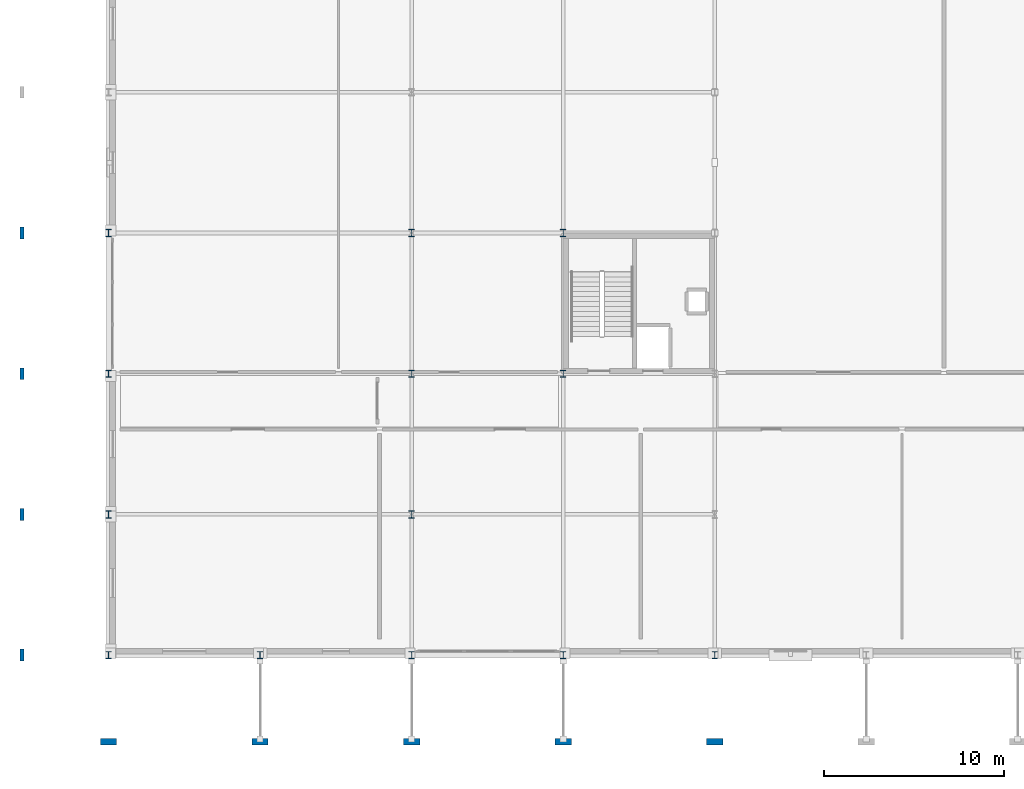
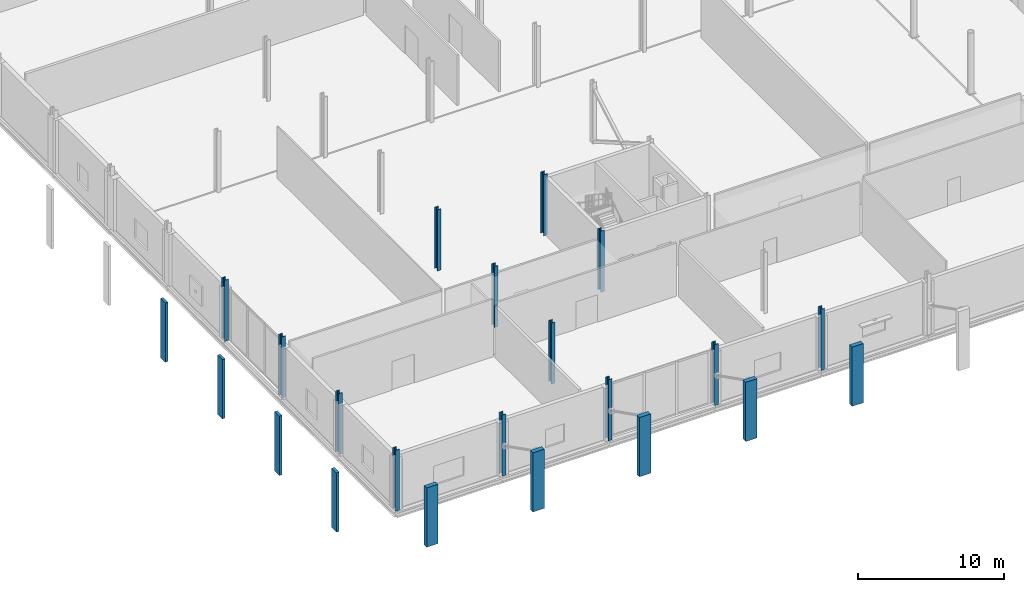
# One storey, part 1 of 105: 22 columns.
"""IFC4 building model written with IfcOpenShell, lengths in metres."""

import ifcopenshell
import ifcopenshell.guid

model = None  # the IFC model being written
_history = None  # IfcOwnerHistory: only IFC2X3 demands one
_inside = {}  # id of a spatial element -> (the spatial element, [elements in it])
_under = {}  # id of a project, library or spatial element -> (it, [spatial elements below it])
_declared = {}  # id of a project -> (the project, [libraries it declares])
_typed = {}  # id of a type object -> (the type object, [elements of that type])
_made_of = {}  # id of a material, layer set ... -> (it, [elements and type objects made of it])


def new_model(schema):
    """Start an empty IFC model of exactly this schema.

    Asked for "IFC4X3", IfcOpenShell would pick the latest addendum, in which some entities
    have other attributes; the version numbers below select the first issue.
    IFC2X3 requires an IfcOwnerHistory on every rooted entity: one is made here for all.
    """
    global model, _history
    if schema == "IFC4X3":
        model = ifcopenshell.file(schema_version=(4, 3, 0, 0))
    else:
        model = ifcopenshell.file(schema=schema)
    _inside.clear()
    _under.clear()
    _declared.clear()
    _typed.clear()
    _made_of.clear()
    _history = None
    if model.schema == "IFC2X3":
        org = make("IfcOrganization", Name="unknown")
        user = make(
            "IfcPersonAndOrganization",
            ThePerson=make("IfcPerson", FamilyName="unknown"),
            TheOrganization=org,
        )
        app = make(
            "IfcApplication",
            ApplicationDeveloper=org,
            Version="unknown",
            ApplicationFullName="unknown",
            ApplicationIdentifier="unknown",
        )
        _history = make(
            "IfcOwnerHistory",
            OwningUser=user,
            OwningApplication=app,
            ChangeAction="ADDED",
            CreationDate=0,
        )
    return model


def make(cls, **values):
    """One entity of the class cls with the attributes given. An attribute that is None is left unset."""
    return model.create_entity(
        cls, **{name: value for name, value in values.items() if value is not None}
    )


def rooted(cls, **values):
    """An entity with a GlobalId (a new one), such as an element, a storey or a relation."""
    return make(cls, GlobalId=ifcopenshell.guid.new(), OwnerHistory=_history, **values)


def si_unit(unit_type, name, prefix=None):
    """IfcSIUnit, for example si_unit("LENGTHUNIT", "METRE", prefix="MILLI")."""
    return make("IfcSIUnit", UnitType=unit_type, Prefix=prefix, Name=name)


def assignment(units):
    """IfcUnitAssignment: the units of a project."""
    return None if units is None else make("IfcUnitAssignment", Units=units)


def point(xyz):
    """IfcCartesianPoint."""
    return None if xyz is None else make("IfcCartesianPoint", Coordinates=xyz)


def direction(xyz):
    """IfcDirection."""
    return None if xyz is None else make("IfcDirection", DirectionRatios=xyz)


def frame(location, z_axis=None, x_axis=None):
    """IfcAxis2Placement3D, a coordinate frame: its origin and axes. An axis left out is left unset."""
    return make(
        "IfcAxis2Placement3D",
        Location=point(location),
        Axis=direction(z_axis),
        RefDirection=direction(x_axis),
    )


def frame_2d(location, x_axis=None):
    """IfcAxis2Placement2D, a coordinate frame in the plane: its origin and x axis."""
    return make(
        "IfcAxis2Placement2D", Location=point(location), RefDirection=direction(x_axis)
    )


def origin():
    """The frame at (0, 0, 0) with its axes left unset."""
    return frame((0.0, 0.0, 0.0))


def origin_2d():
    """The frame at (0, 0) in the plane with its x axis left unset."""
    return frame_2d((0.0, 0.0))


def place(relative_to, where):
    """IfcLocalPlacement: puts the frame where relative to a parent placement (None: the world)."""
    return make(
        "IfcLocalPlacement", PlacementRelTo=relative_to, RelativePlacement=where
    )


def context(
    kind, dimensions, precision=None, world=None, true_north=None, identifier=None
):
    """IfcGeometricRepresentationContext, for example the 3D "Model" context."""
    return make(
        "IfcGeometricRepresentationContext",
        ContextIdentifier=identifier,
        ContextType=kind,
        CoordinateSpaceDimension=dimensions,
        Precision=precision,
        WorldCoordinateSystem=world,
        TrueNorth=true_north,
    )


def subcontext(parent, identifier, kind, view, scale=None):
    """IfcGeometricRepresentationSubContext, for example "Body" below "Model"."""
    return make(
        "IfcGeometricRepresentationSubContext",
        ContextIdentifier=identifier,
        ContextType=kind,
        ParentContext=parent,
        TargetScale=scale,
        TargetView=view,
    )


def project(units=None, contexts=None):
    """IfcProject with its units and contexts."""
    return rooted(
        "IfcProject",
        Name="project",
        RepresentationContexts=contexts,
        UnitsInContext=assignment(units),
    )


def spatial(cls, under=None, at=None, **own):
    """A site, building, storey or space (cls), placed at a placement, below another one or the project."""
    s = rooted(cls, ObjectPlacement=at, **own)
    if under is not None:
        _under.setdefault(under.id(), (under, []))[1].append(s)
    return s


def profile(cls, at=None, kind="AREA", **sizes):
    """A parametric profile (cls). Its sizes go by their IFC names, for example OverallWidth=200.0."""
    return make(cls, ProfileType=kind, Position=at, **sizes)


def rectangle(**sizes):
    """IfcRectangleProfileDef."""
    return profile("IfcRectangleProfileDef", **sizes)


def i_section(**sizes):
    """IfcIShapeProfileDef."""
    return profile("IfcIShapeProfileDef", **sizes)


def extrude(swept, where, along, depth):
    """IfcExtrudedAreaSolid: the profile swept, set in the frame where, extruded along a direction by depth."""
    return make(
        "IfcExtrudedAreaSolid",
        SweptArea=swept,
        Position=where,
        ExtrudedDirection=direction(along),
        Depth=depth,
    )


def shape(context_of_items, identifier, shape_type, items):
    """IfcShapeRepresentation: the items that make up one representation, for example the "Body"."""
    return make(
        "IfcShapeRepresentation",
        ContextOfItems=context_of_items,
        RepresentationIdentifier=identifier,
        RepresentationType=shape_type,
        Items=items,
    )


def material(Name=None, Category=None):
    """IfcMaterial."""
    return make("IfcMaterial", Name=Name, Category=Category)


def material_profile(
    of_material, cross_section, Name=None, Category=None, Priority=None
):
    """IfcMaterialProfile: a cross section and its material."""
    return make(
        "IfcMaterialProfile",
        Name=Name,
        Material=of_material,
        Profile=cross_section,
        Priority=Priority,
        Category=Category,
    )


def profile_set(profiles, Name=None, composite=None):
    """IfcMaterialProfileSet."""
    return make(
        "IfcMaterialProfileSet",
        Name=Name,
        MaterialProfiles=profiles,
        CompositeProfile=composite,
    )


def made_of(thing, what):
    """Note that an element or type object is made of a material, layer set ...; save() writes the relation."""
    if what is not None:
        _made_of.setdefault(what.id(), (what, []))[1].append(thing)
    return thing


def type_object(cls, material=None, **own):
    """A type object (cls), such as IfcWallType, which elements share."""
    return made_of(rooted(cls, **own), material)


def element(
    cls,
    number,
    at=None,
    inside=None,
    cuts=None,
    type_object=None,
    material=None,
    context=None,
    identifier="Body",
    shape_type=None,
    held_by="IfcProductDefinitionShape",
    body=None,
    shapes=None,
    **own,
):
    """One element of the class cls, such as IfcWall. Its Tag is "e" and its number.

    at: its placement. inside: the storey or other place that contains it. cuts: it is an
    opening in that element (IfcRelVoidsElement). A single representation is given by context,
    identifier, shape_type and body (its items); several are given by shapes. held_by: the class
    of the entity that holds the representations. save() writes the other relations.
    """
    e = rooted(cls, Tag="e%d" % number, ObjectPlacement=at, **own)
    if body is not None:
        shapes = [shape(context, identifier, shape_type, body)]
    if shapes is not None:
        e.Representation = make(held_by, Representations=shapes)
    if inside is not None:
        _inside.setdefault(inside.id(), (inside, []))[1].append(e)
    if cuts is not None:
        rooted(
            "IfcRelVoidsElement", RelatingBuildingElement=cuts, RelatedOpeningElement=e
        )
    if type_object is not None:
        _typed.setdefault(type_object.id(), (type_object, []))[1].append(e)
    return made_of(e, material)


def aggregate(whole, parts):
    """IfcRelAggregates: a whole, such as a stair, and the parts it consists of."""
    return rooted("IfcRelAggregates", RelatingObject=whole, RelatedObjects=parts)


def save(model, path):
    """Write the relations noted so far, then the file.

    IfcRelAggregates (storeys below a building ...), IfcRelContainedInSpatialStructure (elements
    in a storey), IfcRelDefinesByType, IfcRelAssociatesMaterial and IfcRelDeclares: one each for
    every whole, place, type object, material and project.
    """
    for whole, parts in _under.values():
        aggregate(whole, parts)
    for where, things in _inside.values():
        rooted(
            "IfcRelContainedInSpatialStructure",
            RelatedElements=things,
            RelatingStructure=where,
        )
    for kind, things in _typed.values():
        rooted("IfcRelDefinesByType", RelatedObjects=things, RelatingType=kind)
    for what, things in _made_of.values():
        rooted("IfcRelAssociatesMaterial", RelatedObjects=things, RelatingMaterial=what)
    for by, libraries in _declared.values():
        rooted("IfcRelDeclares", RelatingContext=by, RelatedDefinitions=libraries)
    model.write(path)


model = new_model("IFC4")

# Units and contexts
model_context = context("Model", 3, precision=1e-05, world=origin(), true_north=direction((0.0, 1.0)))
body_context = subcontext(model_context, "Body", "Model", "MODEL_VIEW")
ifc_project = project(units=[si_unit("LENGTHUNIT", "METRE"), si_unit("AREAUNIT", "SQUARE_METRE"), si_unit("VOLUMEUNIT", "CUBIC_METRE"), si_unit("PLANEANGLEUNIT", "RADIAN"), si_unit("MASSUNIT", "GRAM", prefix="KILO")], contexts=[model_context])

# Site, building, storey
site_placement = place(None, origin())
site = spatial("IfcSite", under=ifc_project, at=site_placement, CompositionType="ELEMENT")
building_placement = place(site_placement, origin())
building = spatial("IfcBuilding", under=site, at=building_placement, Name="Nabrawat Pavilion Hospital", CompositionType="ELEMENT")
storey_placement = place(building_placement, frame((0.0, 0.0, 5.10009765625)))
storey = spatial("IfcBuildingStorey", under=building, at=storey_placement, Name="L01", CompositionType="ELEMENT", Elevation=5.10009765625)

# Columns
ifc_material_1 = material(Name="Precast concrete C40/50", Category="concrete")
ifc_material_profile_1 = material_profile(ifc_material_1, rectangle(XDim=0.219970703125, YDim=0.64990234375, at=origin_2d()), Name="PC 220x650")
ifc_profile_set_1 = profile_set([ifc_material_profile_1], Name="Precast concrete C40/50")
column_type_1 = type_object("IfcColumnType", Name="Ambulance Canopy Precast Pilaster 220x650", PredefinedType="PILASTER", material=ifc_profile_set_1)
for number, where, z_axis, x_axis, name in (
    (1, (-4.800048828125, 0.0, 0.0), (0.0, 0.0, 1.0), (1.0, 0.0, 0.0), "L01 Colonnade Precast Pilaster PIL-W-A"),
    (2, (-4.800048828125, 7.800048828125, 0.0), (0.0, 0.0, 1.0), (1.0, 0.0, 0.0), "L01 Colonnade Precast Pilaster PIL-W-B"),
    (3, (-4.800048828125, 15.60009765625, 0.0), (0.0, 0.0, 1.0), (1.0, 0.0, 0.0), "L01 Colonnade Precast Pilaster PIL-W-C"),
    (4, (-4.800048828125, 23.39990234375, 0.0), (0.0, 0.0, 1.0), (1.0, 0.0, 0.0), "L01 Colonnade Precast Pilaster PIL-W-D"),
):
    element("IfcColumn", number, at=place(storey_placement, frame(where, z_axis=z_axis, x_axis=x_axis)), inside=storey, type_object=column_type_1, Name=name, PredefinedType="PILASTER", context=body_context, shape_type="SweptSolid", body=[
        extrude(rectangle(XDim=0.219970703125, YDim=0.64990234375, at=origin_2d()), origin(), (0.0, 0.0, 1.0), 4.949951171875),
    ])
ifc_material_2 = material(Name="Steel S355", Category="steel")
ifc_material_profile_2 = material_profile(ifc_material_2, i_section(OverallWidth=0.300048828125, OverallDepth=0.39990234375, WebThickness=0.013427734375, FlangeThickness=0.02392578125, FilletRadius=0.027099609375, at=origin_2d()), Name="HEB 400")
ifc_profile_set_2 = profile_set([ifc_material_profile_2], Name="Steel S355")
column_type_2 = type_object("IfcColumnType", Name="Composite Steel Column HEB 400", PredefinedType="COLUMN", material=ifc_profile_set_2)
for number, where, z_axis, x_axis, name in (
    (5, (0.0, 0.0, 0.0), (0.0, 0.0, 1.0), (1.0, 0.0, 0.0), "L01 Structural Column G-1-A"),
    (6, (0.0, 7.800048828125, 0.0), (0.0, 0.0, 1.0), (1.0, 0.0, 0.0), "L01 Structural Column G-1-B"),
    (7, (0.0, 15.60009765625, 0.0), (0.0, 0.0, 1.0), (1.0, 0.0, 0.0), "L01 Structural Column G-1-C"),
    (8, (0.0, 23.39990234375, 0.0), (0.0, 0.0, 1.0), (1.0, 0.0, 0.0), "L01 Structural Column G-1-D"),
    (9, (8.39990234375, 0.0, 0.0), (0.0, 0.0, 1.0), (1.0, 0.0, 0.0), "L01 Structural Column G-2-A"),
    (10, (16.800048828125, 0.0, 0.0), (0.0, 0.0, 1.0), (1.0, 0.0, 0.0), "L01 Structural Column G-3-A"),
    (11, (16.800048828125, 7.800048828125, 0.0), (0.0, 0.0, 1.0), (1.0, 0.0, 0.0), "L01 Structural Column G-3-B"),
    (12, (16.800048828125, 15.60009765625, 0.0), (0.0, 0.0, 1.0), (1.0, 0.0, 0.0), "L01 Structural Column G-3-C"),
    (13, (16.800048828125, 23.39990234375, 0.0), (0.0, 0.0, 1.0), (1.0, 0.0, 0.0), "L01 Structural Column G-3-D"),
    (14, (25.199951171875, 0.0, 0.0), (0.0, 0.0, 1.0), (1.0, 0.0, 0.0), "L01 Structural Column G-4-A"),
    (15, (25.199951171875, 15.60009765625, 0.0), (0.0, 0.0, 1.0), (1.0, 0.0, 0.0), "L01 Structural Column G-4-C"),
    (16, (25.199951171875, 23.39990234375, 0.0), (0.0, 0.0, 1.0), (1.0, 0.0, 0.0), "L01 Structural Column G-4-D"),
    (17, (33.60009765625, 0.0, 0.0), (0.0, 0.0, 1.0), (1.0, 0.0, 0.0), "L01 Structural Column G-5-A"),
):
    element("IfcColumn", number, at=place(storey_placement, frame(where, z_axis=z_axis, x_axis=x_axis)), inside=storey, type_object=column_type_2, Name=name, PredefinedType="COLUMN", context=body_context, shape_type="SweptSolid", body=[
        extrude(i_section(OverallWidth=0.300048828125, OverallDepth=0.39990234375, WebThickness=0.013427734375, FlangeThickness=0.02392578125, FilletRadius=0.027099609375, at=origin_2d()), origin(), (0.0, 0.0, 1.0), 5.099853515625),
    ])
ifc_material_profile_3 = material_profile(ifc_material_1, rectangle(XDim=0.35009765625, YDim=0.89990234375, at=origin_2d()), Name="PC 350x900")
ifc_profile_set_3 = profile_set([ifc_material_profile_3], Name="Precast concrete C40/50")
column_type_3 = type_object("IfcColumnType", Name="South Colonnade Precast Pilaster 350x900", PredefinedType="PILASTER", material=ifc_profile_set_3)
for number, where, z_axis, x_axis, name in (
    (18, (0.0, -4.800048828125, 0.0), (0.0, 0.0, 1.0), (0.0, 1.0, 0.0), "L01 Colonnade Precast Pilaster PIL-S-1"),
    (19, (8.39990234375, -4.800048828125, 0.0), (0.0, 0.0, 1.0), (0.0, 1.0, 0.0), "L01 Colonnade Precast Pilaster PIL-S-2"),
    (20, (16.800048828125, -4.800048828125, 0.0), (0.0, 0.0, 1.0), (0.0, 1.0, 0.0), "L01 Colonnade Precast Pilaster PIL-S-3"),
    (21, (25.199951171875, -4.800048828125, 0.0), (0.0, 0.0, 1.0), (0.0, 1.0, 0.0), "L01 Colonnade Precast Pilaster PIL-S-4"),
    (22, (33.60009765625, -4.800048828125, 0.0), (0.0, 0.0, 1.0), (0.0, 1.0, 0.0), "L01 Colonnade Precast Pilaster PIL-S-5"),
):
    element("IfcColumn", number, at=place(storey_placement, frame(where, z_axis=z_axis, x_axis=x_axis)), inside=storey, type_object=column_type_3, Name=name, PredefinedType="PILASTER", context=body_context, shape_type="SweptSolid", body=[
        extrude(rectangle(XDim=0.35009765625, YDim=0.89990234375, at=origin_2d()), origin(), (0.0, 0.0, 1.0), 4.949951171875),
    ])

save(model, "model.ifc")
